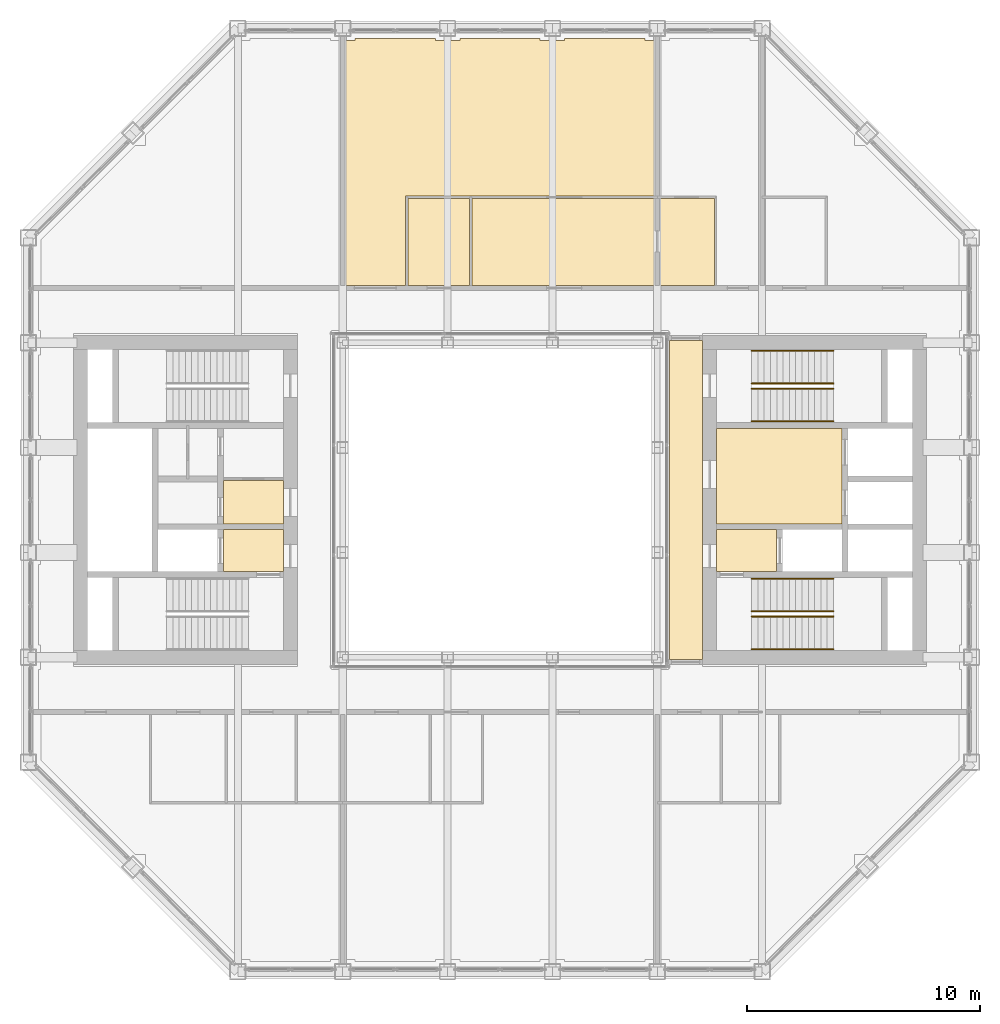
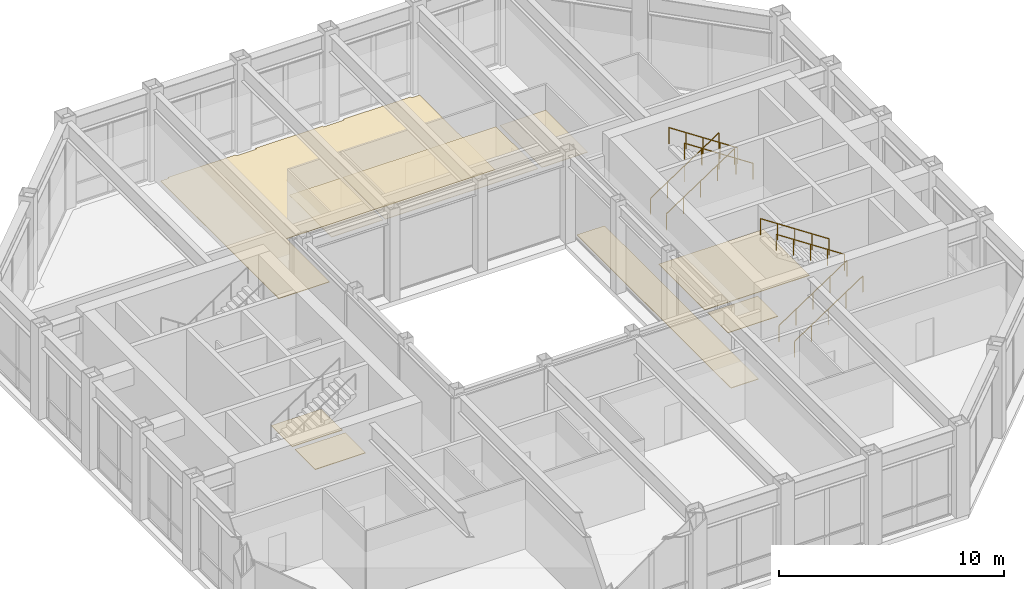
# One storey, part 15 of 15: 8 railings, 2 coverings.
"""IFC4 building model written with IfcOpenShell, lengths in metres."""

from ifc_helpers import new_model, si_unit, direction, frame, origin, origin_2d, place, context, subcontext, project, spatial, line, indexed_curve, circle, outline, extrude, material, layer, layer_set, type_object, element, save


model = new_model("IFC4")

# Units and contexts
model_context = context("Model", 3, precision=1e-05, world=origin(), true_north=direction((0.0, 1.0)))
body_context = subcontext(model_context, "Body", "Model", "MODEL_VIEW")
ifc_project = project(units=[si_unit("LENGTHUNIT", "METRE"), si_unit("AREAUNIT", "SQUARE_METRE"), si_unit("VOLUMEUNIT", "CUBIC_METRE"), si_unit("PLANEANGLEUNIT", "RADIAN"), si_unit("MASSUNIT", "GRAM", prefix="KILO")], contexts=[model_context])

# Site, building, storey
site_placement = place(None, origin())
site = spatial("IfcSite", under=ifc_project, at=site_placement, CompositionType="ELEMENT")
building_placement = place(site_placement, origin())
building = spatial("IfcBuilding", under=site, at=building_placement, Name="Msasa Ring Tower", CompositionType="ELEMENT")
storey_placement = place(building_placement, frame((0.0, 0.0, 257.050048828125)))
storey = spatial("IfcBuildingStorey", under=building, at=storey_placement, Name="L67", CompositionType="ELEMENT", Elevation=257.050048828125)

# Coverings
ifc_material_1 = material(Name="Perforated aluminium ceiling pans on a steel grid", Category="steel")
ifc_layer_1 = layer(ifc_material_1, 0.02490234375)
ifc_layer_set_1 = layer_set([ifc_layer_1], Name="C4 PERFORATED METAL PAN CEILING 25")
covering_type_1 = type_object("IfcCoveringType", Name="C4 PERFORATED METAL PAN CEILING 25", PredefinedType="CEILING", material=ifc_layer_set_1)
covering_1_placement = place(storey_placement, frame((0.0, 0.0, 2.39990234375)))
element("IfcCovering", 1, at=covering_1_placement, inside=storey, type_object=covering_type_1, Name="Perforated Metal Pan Ceiling 25 L67", PredefinedType="CEILING", context=body_context, shape_type="SweptSolid", body=[
    extrude(outline(indexed_curve([(-1.300537109375, 12.949462890625), (-1.300537109375, 9.200439453125), (-3.949462890625, 9.200439453125), (-3.949462890625, 12.949462890625)], segments=[line(1, 2, 3, 4, 1)], self_intersect=False)), origin(), (0.0, 0.0, 1.0), 0.025146484375),
    extrude(outline(indexed_curve([(-1.199462890625, 9.200439453125), (-1.199462890625, 12.949462890625), (6.6494140625, 12.949462890625), (6.6494140625, 9.200439453125)], segments=[line(1, 2, 3, 4, 1)], self_intersect=False)), origin(), (0.0, 0.0, 1.0), 0.025146484375),
    extrude(outline(indexed_curve([(9.199462890625, 9.200439453125), (6.8505859375, 9.200439453125), (6.8505859375, 12.949462890625), (9.199462890625, 12.949462890625)], segments=[line(1, 2, 3, 4, 1)], self_intersect=False)), origin(), (0.0, 0.0, 1.0), 0.025146484375),
])
ifc_material_2 = material(Name="Honed granite tiles on a mortar bed", Category="masonry")
ifc_layer_2 = layer(ifc_material_2, 0.030029296875)
ifc_layer_set_2 = layer_set([ifc_layer_2], Name="F1 HONED GRANITE ON BEDDING 30")
covering_type_2 = type_object("IfcCoveringType", Name="F1 HONED GRANITE ON BEDDING 30", PredefinedType="FLOORING", material=ifc_layer_set_2)
covering_2_placement = place(storey_placement, origin())
element("IfcCovering", 2, at=covering_2_placement, inside=storey, type_object=covering_type_2, Name="Honed Granite On Bedding 30 L67", PredefinedType="FLOORING", context=body_context, shape_type="SweptSolid", body=[
    extrude(outline(indexed_curve([(-11.87451171875, -3.074462890625), (-11.87451171875, -1.275390625), (-9.300537109375, -1.275390625), (-9.300537109375, -3.074462890625)], segments=[line(1, 2, 3, 4, 1)], self_intersect=False)), origin(), (0.0, 0.0, 1.0), 0.030029296875),
    extrude(outline(indexed_curve([(-11.87451171875, 0.844482421875), (-9.300537109375, 0.844482421875), (-9.300537109375, -1.0244140625), (-11.87451171875, -1.0244140625)], segments=[line(1, 2, 3, 4, 1)], self_intersect=False)), origin(), (0.0, 0.0, 1.0), 0.030029296875),
    extrude(outline(indexed_curve([(-4.050537109375, 13.050537109375), (-4.050537109375, 9.200439453125), (-6.6494140625, 9.200439453125), (-6.6494140625, 19.724609375), (-6.224609375, 19.724609375), (-6.224609375, 19.799560546875), (-2.775390625, 19.799560546875), (-2.775390625, 19.724609375), (-1.724609375, 19.724609375), (-1.724609375, 19.799560546875), (1.724609375, 19.799560546875), (1.724609375, 19.724609375), (2.775390625, 19.724609375), (2.775390625, 19.799560546875), (6.224609375, 19.799560546875), (6.224609375, 19.724609375), (6.6494140625, 19.724609375), (6.6494140625, 13.050537109375)], segments=[line(1, 2, 3, 4, 5, 6, 7, 8, 9, 10, 11, 12, 13, 14, 15, 16, 17, 18, 1)], self_intersect=False)), origin(), (0.0, 0.0, 1.0), 0.030029296875),
    extrude(outline(indexed_curve([(7.280029296875, -6.849609375), (7.280029296875, 6.849609375), (8.699462890625, 6.849609375), (8.699462890625, -6.849609375)], segments=[line(1, 2, 3, 4, 1)], self_intersect=False)), origin(), (0.0, 0.0, 1.0), 0.030029296875),
    extrude(outline(indexed_curve([(9.300537109375, -1.275390625), (11.87451171875, -1.275390625), (11.87451171875, -3.074462890625), (9.300537109375, -3.074462890625)], segments=[line(1, 2, 3, 4, 1)], self_intersect=False)), origin(), (0.0, 0.0, 1.0), 0.030029296875),
    extrude(outline(indexed_curve([(9.300537109375, 3.074462890625), (14.674560546875, 3.074462890625), (14.674560546875, -1.0244140625), (9.300537109375, -1.0244140625)], segments=[line(1, 2, 3, 4, 1)], self_intersect=False)), origin(), (0.0, 0.0, 1.0), 0.030029296875),
])

# Railings
ifc_material_3 = material(Name="Stainless steel", Category="steel")
railing_type = type_object("IfcRailingType", Name="HR1 HANDRAIL 900", PredefinedType="HANDRAIL", material=ifc_material_3)
for number, where, name in (
    (3, (10.800048828125, -6.39990234375, 0.178466796875), "Handrail stair SEA L67 1"),
    (4, (10.800048828125, -5.0, 0.178466796875), "Handrail stair SEA L67 2"),
):
    element("IfcRailing", number, at=place(storey_placement, frame(where)), inside=storey, type_object=railing_type, Name=name, PredefinedType="HANDRAIL", context=body_context, shape_type="SweptSolid", body=[
        extrude(circle(Radius=0.02392578125, at=origin_2d()), frame((0.0, 0.0, 0.8759765625), z_axis=(0.834070780157, 0.0, 0.551657442339), x_axis=(0.0, 1.0, 0.0)), (0.0, 0.0, 1.0), 4.208251953125),
        extrude(circle(Radius=0.02099609375, at=origin_2d()), origin(), (0.0, 0.0, 1.0), 0.851806640625),
        extrude(circle(Radius=0.02099609375, at=origin_2d()), frame((0.87744140625, 0.0, 0.580322265625)), (0.0, 0.0, 1.0), 0.851806640625),
        extrude(circle(Radius=0.02099609375, at=origin_2d()), frame((1.7548828125, 0.0, 1.16064453125)), (0.0, 0.0, 1.0), 0.851806640625),
        extrude(circle(Radius=0.02099609375, at=origin_2d()), frame((2.632568359375, 0.0, 1.7412109375)), (0.0, 0.0, 1.0), 0.851806640625),
        extrude(circle(Radius=0.02099609375, at=origin_2d()), frame((3.510009765625, 0.0, 2.321533203125)), (0.0, 0.0, 1.0), 0.851806640625),
    ])
for number, where, name in (
    (5, (14.31005859375, -4.77490234375, 2.678466796875), "Handrail stair SEA L67 3"),
    (6, (14.31005859375, -3.375, 2.678466796875), "Handrail stair SEA L67 4"),
):
    element("IfcRailing", number, at=place(storey_placement, frame(where)), inside=storey, type_object=railing_type, Name=name, PredefinedType="HANDRAIL", context=body_context, shape_type="SweptSolid", body=[
        extrude(circle(Radius=0.02392578125, at=origin_2d()), frame((0.0, 0.0, 0.8759765625), z_axis=(-0.834070780157, 0.0, 0.551657442339), x_axis=(0.0, -1.0, 0.0)), (0.0, 0.0, 1.0), 4.208251953125),
        extrude(circle(Radius=0.02099609375, at=origin_2d()), origin(), (0.0, 0.0, 1.0), 0.851806640625),
        extrude(circle(Radius=0.02099609375, at=origin_2d()), frame((-0.87744140625, 0.0, 0.580322265625)), (0.0, 0.0, 1.0), 0.851806640625),
        extrude(circle(Radius=0.02099609375, at=origin_2d()), frame((-1.7548828125, 0.0, 1.16064453125)), (0.0, 0.0, 1.0), 0.851806640625),
        extrude(circle(Radius=0.02099609375, at=origin_2d()), frame((-2.632568359375, 0.0, 1.7412109375)), (0.0, 0.0, 1.0), 0.851806640625),
        extrude(circle(Radius=0.02099609375, at=origin_2d()), frame((-3.510009765625, 0.0, 2.321533203125)), (0.0, 0.0, 1.0), 0.851806640625),
    ])
for number, where, name in (
    (7, (10.800048828125, 5.0, 0.178466796875), "Handrail stair SEB L67 1"),
    (8, (10.800048828125, 6.39990234375, 0.178466796875), "Handrail stair SEB L67 2"),
):
    element("IfcRailing", number, at=place(storey_placement, frame(where)), inside=storey, type_object=railing_type, Name=name, PredefinedType="HANDRAIL", context=body_context, shape_type="SweptSolid", body=[
        extrude(circle(Radius=0.02392578125, at=origin_2d()), frame((0.0, 0.0, 0.8759765625), z_axis=(0.834070780157, 0.0, 0.551657442339), x_axis=(0.0, 1.0, 0.0)), (0.0, 0.0, 1.0), 4.208251953125),
        extrude(circle(Radius=0.02099609375, at=origin_2d()), origin(), (0.0, 0.0, 1.0), 0.851806640625),
        extrude(circle(Radius=0.02099609375, at=origin_2d()), frame((0.87744140625, 0.0, 0.580322265625)), (0.0, 0.0, 1.0), 0.851806640625),
        extrude(circle(Radius=0.02099609375, at=origin_2d()), frame((1.7548828125, 0.0, 1.16064453125)), (0.0, 0.0, 1.0), 0.851806640625),
        extrude(circle(Radius=0.02099609375, at=origin_2d()), frame((2.632568359375, 0.0, 1.7412109375)), (0.0, 0.0, 1.0), 0.851806640625),
        extrude(circle(Radius=0.02099609375, at=origin_2d()), frame((3.510009765625, 0.0, 2.321533203125)), (0.0, 0.0, 1.0), 0.851806640625),
    ])
for number, where, name in (
    (9, (14.31005859375, 3.375, 2.678466796875), "Handrail stair SEB L67 3"),
    (10, (14.31005859375, 4.77490234375, 2.678466796875), "Handrail stair SEB L67 4"),
):
    element("IfcRailing", number, at=place(storey_placement, frame(where)), inside=storey, type_object=railing_type, Name=name, PredefinedType="HANDRAIL", context=body_context, shape_type="SweptSolid", body=[
        extrude(circle(Radius=0.02392578125, at=origin_2d()), frame((0.0, 0.0, 0.8759765625), z_axis=(-0.834070780157, 0.0, 0.551657442339), x_axis=(0.0, -1.0, 0.0)), (0.0, 0.0, 1.0), 4.208251953125),
        extrude(circle(Radius=0.02099609375, at=origin_2d()), origin(), (0.0, 0.0, 1.0), 0.851806640625),
        extrude(circle(Radius=0.02099609375, at=origin_2d()), frame((-0.87744140625, 0.0, 0.580322265625)), (0.0, 0.0, 1.0), 0.851806640625),
        extrude(circle(Radius=0.02099609375, at=origin_2d()), frame((-1.7548828125, 0.0, 1.16064453125)), (0.0, 0.0, 1.0), 0.851806640625),
        extrude(circle(Radius=0.02099609375, at=origin_2d()), frame((-2.632568359375, 0.0, 1.7412109375)), (0.0, 0.0, 1.0), 0.851806640625),
        extrude(circle(Radius=0.02099609375, at=origin_2d()), frame((-3.510009765625, 0.0, 2.321533203125)), (0.0, 0.0, 1.0), 0.851806640625),
    ])

save(model, "model.ifc")
